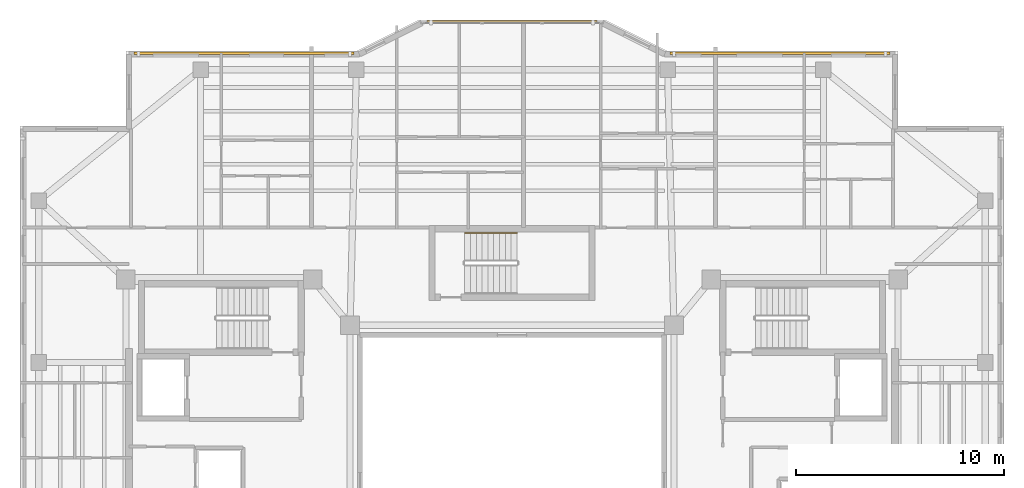
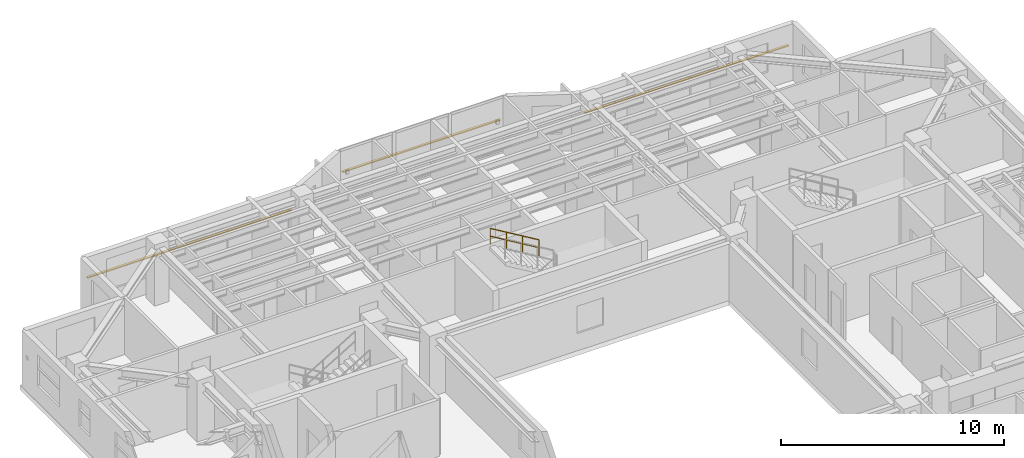
# One storey, part 12 of 12: 3 shading devices, 1 railing.
"""IFC4 building model written with IfcOpenShell, lengths in metres."""

from ifc_helpers import new_model, si_unit, direction, frame, origin, origin_2d, place, context, subcontext, project, spatial, rectangle, circle, extrude, material, material_profile, profile_set, type_object, element, save


model = new_model("IFC4")

# Units and contexts
model_context = context("Model", 3, precision=1e-05, world=origin(), true_north=direction((0.0, 1.0)))
body_context = subcontext(model_context, "Body", "Model", "MODEL_VIEW")
ifc_project = project(units=[si_unit("LENGTHUNIT", "METRE"), si_unit("AREAUNIT", "SQUARE_METRE"), si_unit("VOLUMEUNIT", "CUBIC_METRE"), si_unit("PLANEANGLEUNIT", "RADIAN"), si_unit("MASSUNIT", "GRAM", prefix="KILO")], contexts=[model_context])

# Site, building, storey
site_placement = place(None, origin())
site = spatial("IfcSite", under=ifc_project, at=site_placement, CompositionType="ELEMENT")
building_placement = place(site_placement, origin())
building = spatial("IfcBuilding", under=site, at=building_placement, Name="Tarnavaz Court Tower", CompositionType="ELEMENT")
storey_placement = place(building_placement, frame((0.0, 0.0, 203.64990234375)))
storey = spatial("IfcBuildingStorey", under=building, at=storey_placement, Name="L55", CompositionType="ELEMENT", Elevation=203.64990234375)

# Railing
ifc_material_1 = material(Name="Brushed Stainless Steel", Category="steel")
railing_type = type_object("IfcRailingType", Name="RL-HANDRAIL-900", PredefinedType="HANDRAIL", material=ifc_material_1)
railing_placement = place(storey_placement, frame((0.239990234375, 12.239990234375, 1.842529296875)))
element("IfcRailing", 1, at=railing_placement, inside=storey, type_object=railing_type, Name="L55 ST-N1 stair handrail 2", PredefinedType="HANDRAIL", context=body_context, shape_type="SweptSolid", body=[
    extrude(circle(Radius=0.02392578125, at=origin_2d()), frame((0.0, 0.0, 0.8759765625), z_axis=(-0.858159760407, 0.0, 0.513382728203), x_axis=(0.0, -1.0, 0.0)), (0.0, 0.0, 1.0), 2.9365234375),
    extrude(circle(Radius=0.02392578125, at=origin_2d()), frame((0.0, 0.0, 0.449951171875), z_axis=(-0.858159760407, 0.0, 0.513382728203), x_axis=(0.0, -1.0, 0.0)), (0.0, 0.0, 1.0), 2.9365234375),
    extrude(circle(Radius=0.02099609375, at=origin_2d()), origin(), (0.0, 0.0, 1.0), 0.851806640625),
    extrude(circle(Radius=0.02099609375, at=origin_2d()), frame((-0.840087890625, 0.0, 0.50244140625)), (0.0, 0.0, 1.0), 0.851806640625),
    extrude(circle(Radius=0.02099609375, at=origin_2d()), frame((-1.679931640625, 0.0, 1.005126953125)), (0.0, 0.0, 1.0), 0.851806640625),
    extrude(circle(Radius=0.02099609375, at=origin_2d()), frame((-2.52001953125, 0.0, 1.507568359375)), (0.0, 0.0, 1.0), 0.851806640625),
])

# Shading devices
ifc_material_2 = material(Name="Kiln-Fired Khorasan Terracotta Ceramic", Category="masonry")
ifc_material_profile = material_profile(ifc_material_2, rectangle(XDim=0.1201171875, YDim=0.06005859375, at=origin_2d()), Name="TC BAGUETTE 120X60")
ifc_profile_set = profile_set([ifc_material_profile], Name="Kiln-Fired Khorasan Terracotta Ceramic")
shading_device_type = type_object("IfcShadingDeviceType", Name="SD-BAG-120", PredefinedType="USERDEFINED", material=ifc_profile_set)
shading_device_1_placement = place(storey_placement, frame((-18.199951171875, 20.909912109375, 1.85009765625), z_axis=(1.0, 0.0, 0.0), x_axis=(0.0, 1.0, 0.0)))
element("IfcShadingDevice", 2, at=shading_device_1_placement, inside=storey, type_object=shading_device_type, Name="L55 Terracotta Baguette Screen FBG05", ObjectType="BAGUETTE", PredefinedType="USERDEFINED", context=body_context, shape_type="SweptSolid", body=[
    extrude(rectangle(XDim=0.1201171875, YDim=0.06005859375, at=origin_2d()), origin(), (0.0, 0.0, 1.0), 10.599853515625),
])
shading_device_2_placement = place(storey_placement, frame((-4.10009765625, 22.409912109375, 1.800048828125), z_axis=(1.0, 0.0, 0.0), x_axis=(0.0, 1.0, 0.0)))
element("IfcShadingDevice", 3, at=shading_device_2_placement, inside=storey, type_object=shading_device_type, Name="L55 Terracotta Baguette Screen PBG7", ObjectType="BAGUETTE", PredefinedType="USERDEFINED", context=body_context, shape_type="SweptSolid", body=[
    extrude(rectangle(XDim=0.1201171875, YDim=0.06005859375, at=origin_2d()), origin(), (0.0, 0.0, 1.0), 8.2001953125),
])
shading_device_3_placement = place(storey_placement, frame((7.60009765625, 20.909912109375, 1.85009765625), z_axis=(1.0, 0.0, 0.0), x_axis=(0.0, 1.0, 0.0)))
element("IfcShadingDevice", 4, at=shading_device_3_placement, inside=storey, type_object=shading_device_type, Name="L55 Terracotta Baguette Screen FBG09", ObjectType="BAGUETTE", PredefinedType="USERDEFINED", context=body_context, shape_type="SweptSolid", body=[
    extrude(rectangle(XDim=0.1201171875, YDim=0.06005859375, at=origin_2d()), origin(), (0.0, 0.0, 1.0), 10.599853515625),
])

save(model, "model.ifc")
